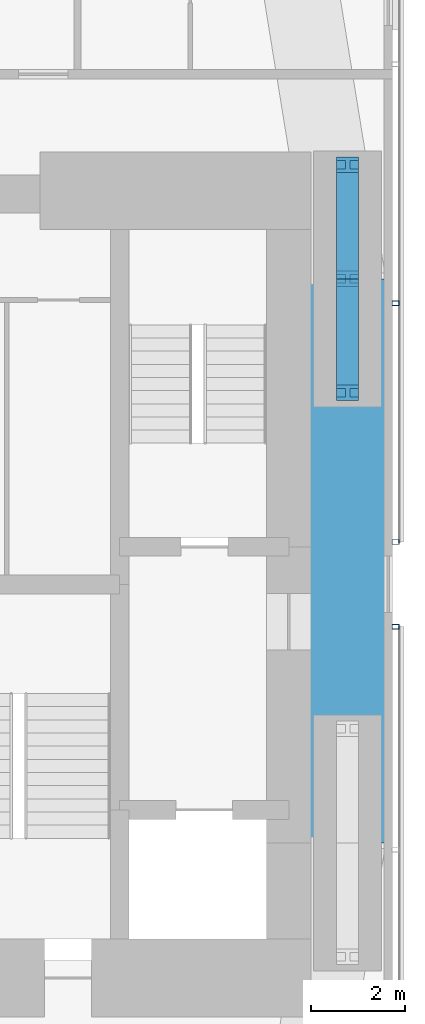
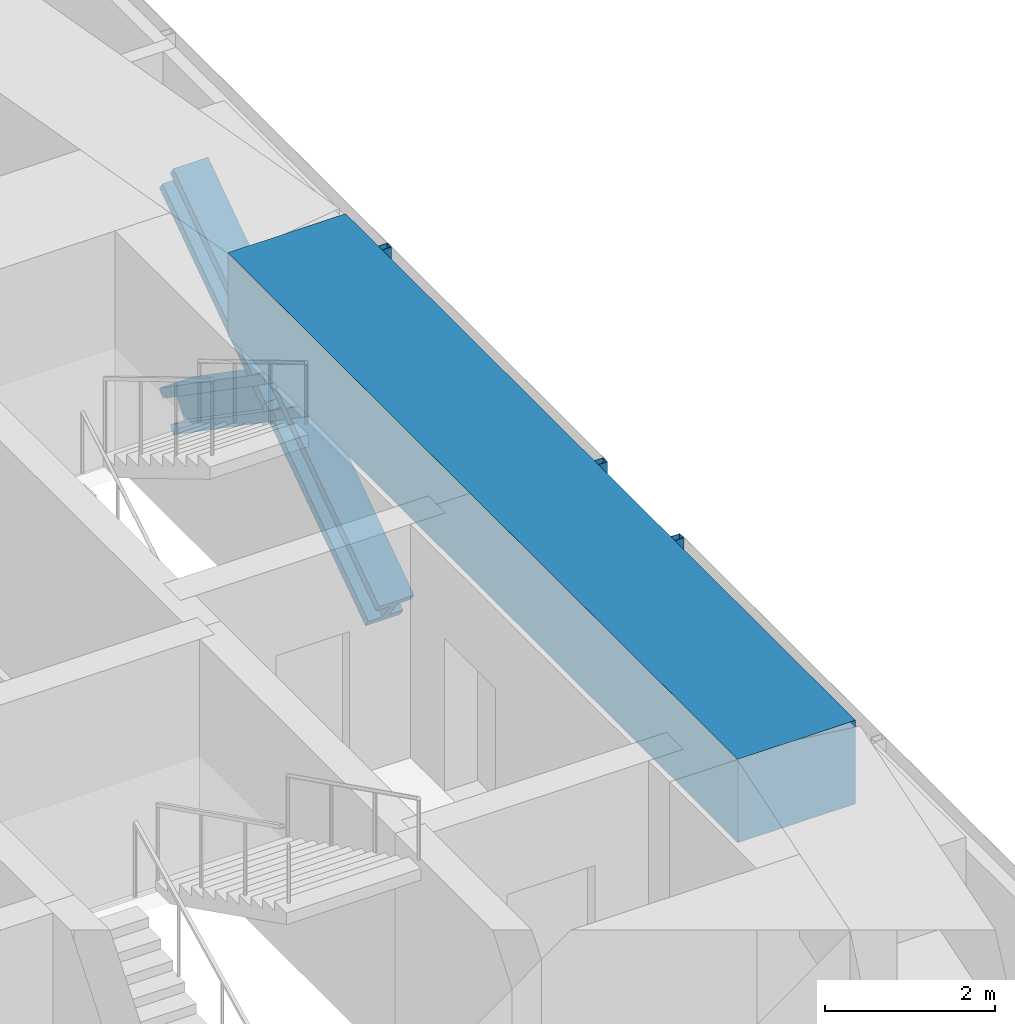
# One storey, part 9 of 23: 7 members, 1 beam, 2 elements without a shape of their own.
"""IFC4 building model written with IfcOpenShell, lengths in metres."""

from ifc_helpers import new_model, si_unit, direction, frame, origin, origin_2d, place, context, subcontext, project, spatial, rectangle, hollow_rectangle, i_section, extrude, material, material_profile, profile_set, type_object, element, aggregate, save


model = new_model("IFC4")

# Units and contexts
model_context = context("Model", 3, precision=1e-05, world=origin(), true_north=direction((0.0, 1.0)))
body_context = subcontext(model_context, "Body", "Model", "MODEL_VIEW")
ifc_project = project(units=[si_unit("LENGTHUNIT", "METRE"), si_unit("AREAUNIT", "SQUARE_METRE"), si_unit("VOLUMEUNIT", "CUBIC_METRE"), si_unit("PLANEANGLEUNIT", "RADIAN"), si_unit("MASSUNIT", "GRAM", prefix="KILO")], contexts=[model_context])

# Site, building, storey
site_placement = place(None, origin())
site = spatial("IfcSite", under=ifc_project, at=site_placement, CompositionType="ELEMENT")
building_placement = place(site_placement, origin())
building = spatial("IfcBuilding", under=site, at=building_placement, Name="Jalousie Tower", CompositionType="ELEMENT")
storey_placement = place(building_placement, frame((0.0, 0.0, 24.35009765625)))
storey = spatial("IfcBuildingStorey", under=building, at=storey_placement, Name="L05", CompositionType="ELEMENT", Elevation=24.35009765625)

# Members
ifc_material_1 = material(Name="Steel ASTM A992 Grade 50", Category="steel")
ifc_material_profile_1 = material_profile(ifc_material_1, i_section(OverallWidth=0.472412109375, OverallDepth=0.5791015625, WebThickness=0.094970703125, FlangeThickness=0.1298828125, at=origin_2d()), Name="W14X808")
ifc_profile_set_1 = profile_set([ifc_material_profile_1], Name="Steel ASTM A992 Grade 50")
member_type_1 = type_object("IfcMemberType", Name="PERIMETER BRACE W14X808", PredefinedType="BRACE", material=ifc_profile_set_1)
for number, where, z_axis, x_axis, name in (
    (1, (45.050048828125, 22.574951171875, -0.60009765625), (0.0, 0.822800062329, 0.568330940062), (-1.0, 0.0, 0.0), "Perimeter brace 07 L05 part 1"),
    (2, (45.050048828125, 25.0, 1.074951171875), (0.0, 0.822800062329, 0.568330940062), (-1.0, 0.0, 0.0), "Perimeter brace 07 L05 part 2"),
    (3, (45.050048828125, 27.425048828125, -0.60009765625), (0.0, -0.822800062329, 0.568330940062), (1.0, 0.0, 0.0), "Perimeter brace 07 L05 part 3"),
    (4, (45.050048828125, 25.0, 1.074951171875), (0.0, -0.822800062329, 0.568330940062), (1.0, 0.0, 0.0), "Perimeter brace 07 L05 part 4"),
):
    element("IfcMember", number, at=place(storey_placement, frame(where, z_axis=z_axis, x_axis=x_axis)), inside=storey, type_object=member_type_1, Name=name, PredefinedType="BRACE", context=body_context, shape_type="SweptSolid", body=[
        extrude(i_section(OverallWidth=0.472412109375, OverallDepth=0.5791015625, WebThickness=0.094970703125, FlangeThickness=0.1298828125, at=origin_2d()), origin(), (0.0, 0.0, 1.0), 2.947265625),
    ])

# Beam
ifc_material_2 = material(Name="Concrete f'c 40 MPa", Category="concrete")
ifc_material_profile_2 = material_profile(ifc_material_2, rectangle(XDim=1.60009765625, YDim=1.199951171875, at=origin_2d()), Name="RC 1600x1200")
ifc_profile_set_2 = profile_set([ifc_material_profile_2], Name="Concrete f'c 40 MPa")
beam_type = type_object("IfcBeamType", Name="RC BEAM 1600x1200", PredefinedType="BEAM", material=ifc_profile_set_2)
beam_placement = place(storey_placement, frame((45.050048828125, 13.0, 2.75), z_axis=(0.0, 1.0, 0.0), x_axis=(-1.0, 0.0, 0.0)))
element("IfcBeam", 5, at=beam_placement, inside=storey, type_object=beam_type, Name="Edge band beam 06-07 under L06", PredefinedType="BEAM", context=body_context, shape_type="SweptSolid", body=[
    extrude(rectangle(XDim=1.60009765625, YDim=1.199951171875, at=origin_2d()), origin(), (0.0, 0.0, 1.0), 12.0),
])

# Curtain wall, member
ifc_material_3 = material(Name="Perforated aluminium sheet", Category="aluminium")
curtain_wall_type = type_object("IfcCurtainWallType", Name="SOLAR SCREEN SS-1", PredefinedType="USERDEFINED", material=ifc_material_3)
curtain_wall_1_placement = place(storey_placement, origin())
curtain_wall_1 = element("IfcCurtainWall", 6, at=curtain_wall_1_placement, inside=storey, type_object=curtain_wall_type, Name="Solar screen L05", ObjectType="SOLAR SCREEN SS-1", PredefinedType="USERDEFINED")
ifc_material_4 = material(Name="Steel ASTM A500 Grade C", Category="steel")
ifc_material_profile_3 = material_profile(ifc_material_4, hollow_rectangle(XDim=0.1015625, YDim=0.15234375, WallThickness=0.00634765625, at=origin_2d()), Name="HSS6X4X1/4")
ifc_profile_set_3 = profile_set([ifc_material_profile_3], Name="Steel ASTM A500 Grade C")
member_type_2 = type_object("IfcMemberType", Name="SOLAR SCREEN SS-1 MULLION", PredefinedType="MULLION", material=ifc_profile_set_3)
member_1_placement = place(storey_placement, frame((46.0712890625, 17.60009765625, -0.1201171875), z_axis=(0.0, 0.0, 1.0), x_axis=(0.0, 1.0, 0.0)))
member_1 = element("IfcMember", 7, at=member_1_placement, type_object=member_type_2, Name="SS1 post 4", PredefinedType="MULLION", context=body_context, shape_type="SweptSolid", body=[
    extrude(hollow_rectangle(XDim=0.1015625, YDim=0.15234375, WallThickness=0.00634765625, at=origin_2d()), origin(), (0.0, 0.0, 1.0), 3.22998046875),
])
aggregate(curtain_wall_1, [member_1])

# Curtain wall, members
curtain_wall_2_placement = place(storey_placement, origin())
curtain_wall_2 = element("IfcCurtainWall", 8, at=curtain_wall_2_placement, inside=storey, type_object=curtain_wall_type, Name="Solar screen L05", ObjectType="SOLAR SCREEN SS-1", PredefinedType="USERDEFINED")
member_2_placement = place(storey_placement, frame((46.0712890625, 19.39990234375, -0.1201171875), z_axis=(0.0, 0.0, 1.0), x_axis=(0.0, 1.0, 0.0)))
member_2 = element("IfcMember", 9, at=member_2_placement, type_object=member_type_2, Name="SS1 post 1", PredefinedType="MULLION", context=body_context, shape_type="SweptSolid", body=[
    extrude(hollow_rectangle(XDim=0.1015625, YDim=0.15234375, WallThickness=0.00634765625, at=origin_2d()), origin(), (0.0, 0.0, 1.0), 3.22998046875),
])
member_3_placement = place(storey_placement, frame((46.0712890625, 24.48291015625, -0.1201171875), z_axis=(0.0, 0.0, 1.0), x_axis=(0.0, 1.0, 0.0)))
member_3 = element("IfcMember", 10, at=member_3_placement, type_object=member_type_2, Name="SS1 post 2", PredefinedType="MULLION", context=body_context, shape_type="SweptSolid", body=[
    extrude(hollow_rectangle(XDim=0.1015625, YDim=0.15234375, WallThickness=0.00634765625, at=origin_2d()), origin(), (0.0, 0.0, 1.0), 3.22998046875),
])
aggregate(curtain_wall_2, [member_2, member_3])

save(model, "model.ifc")
